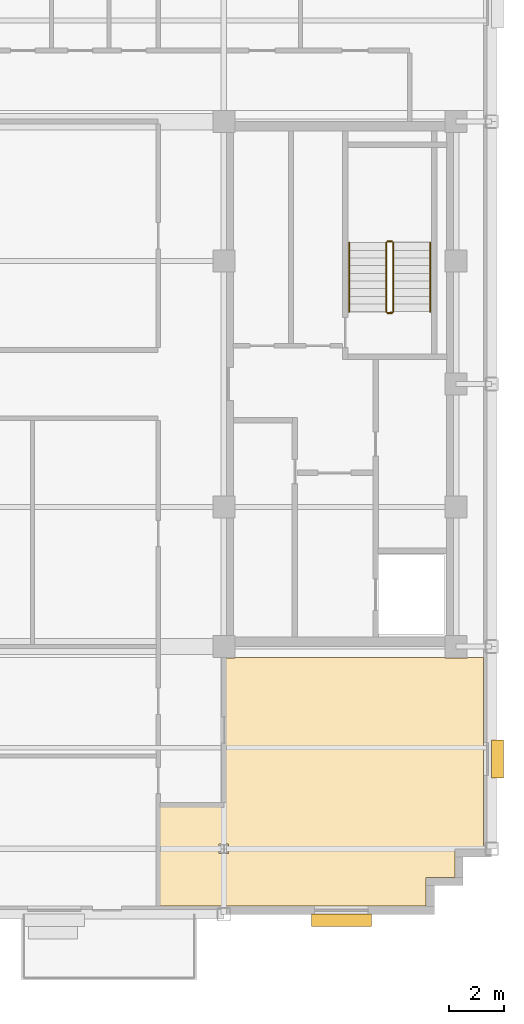
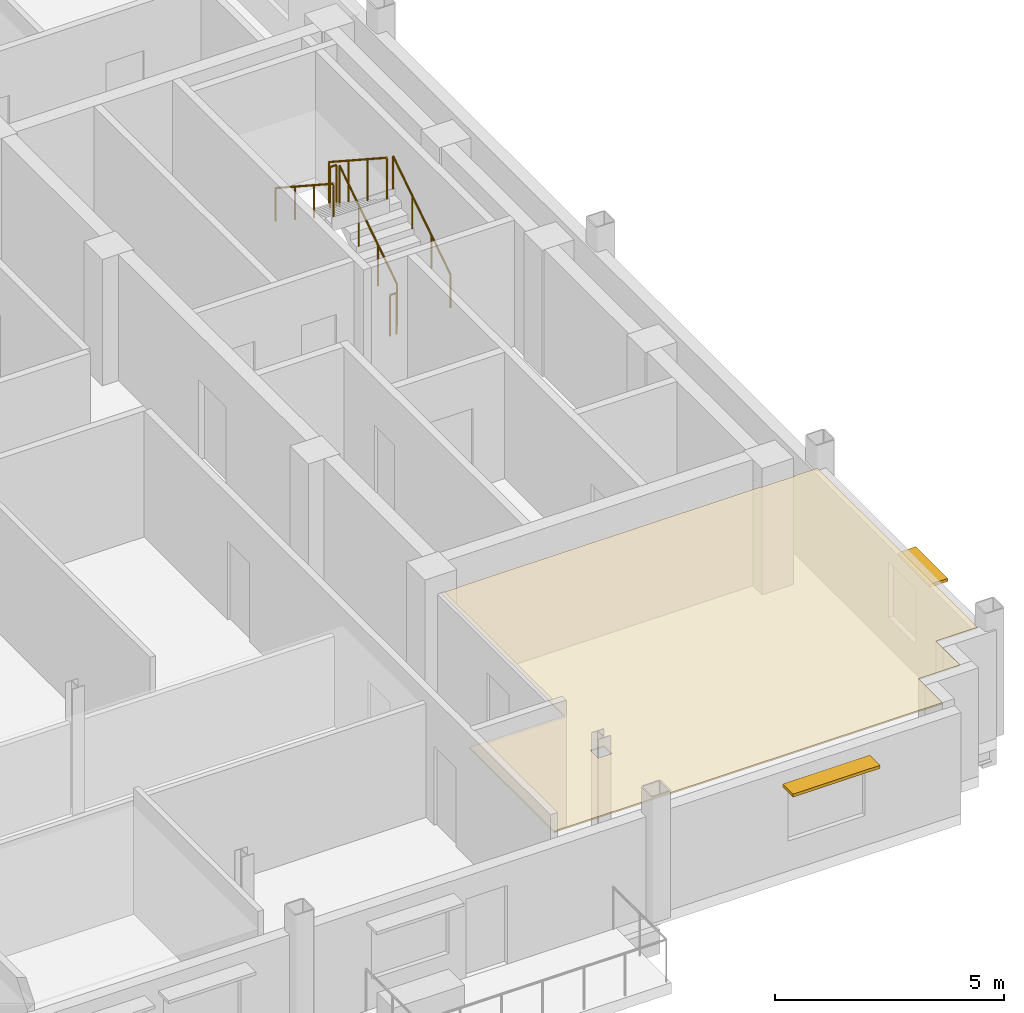
# One storey, part 12 of 13: 6 railings, 2 shading devices, 1 covering.
"""IFC4 building model written with IfcOpenShell, lengths in metres."""

from ifc_helpers import new_model, si_unit, direction, frame, origin, origin_2d, place, context, subcontext, project, spatial, polyline, rectangle, circle, outline, extrude, source, transform, mapped, material, layer, layer_set, type_object, type_shapes, element, save


model = new_model("IFC4")

# Units and contexts
model_context = context("Model", 3, precision=1e-05, world=origin(), true_north=direction((0.0, 1.0)))
body_context = subcontext(model_context, "Body", "Model", "MODEL_VIEW")
ifc_project = project(units=[si_unit("LENGTHUNIT", "METRE"), si_unit("AREAUNIT", "SQUARE_METRE"), si_unit("VOLUMEUNIT", "CUBIC_METRE"), si_unit("PLANEANGLEUNIT", "RADIAN"), si_unit("MASSUNIT", "GRAM", prefix="KILO")], contexts=[model_context])

# Site, building, storey
site_placement = place(None, origin())
site = spatial("IfcSite", under=ifc_project, at=site_placement, CompositionType="ELEMENT")
building_placement = place(site_placement, origin())
building = spatial("IfcBuilding", under=site, at=building_placement, Name="Nuvemarco Arch Tower", CompositionType="ELEMENT")
storey_placement = place(building_placement, frame((0.0, 0.0, 276.199951171875)))
storey = spatial("IfcBuildingStorey", under=building, at=storey_placement, Name="L73", CompositionType="ELEMENT", Elevation=276.199951171875)

# Covering
ifc_material_1 = material(Name="Mineral acoustic ceiling tile")
ifc_layer = layer(ifc_material_1, 0.0400390625, Name="COV-ACOUSTIC-CLG")
ifc_layer_set = layer_set([ifc_layer], Name="Mineral acoustic ceiling tile")
covering_type = type_object("IfcCoveringType", Name="COV-ACOUSTIC-CLG", PredefinedType="CEILING", material=ifc_layer_set)
covering_placement = place(storey_placement, frame((0.0, 0.0, 2.85009765625)))
element("IfcCovering", 1, at=covering_placement, inside=storey, type_object=covering_type, Name="L73 suspended acoustic ceiling 1", PredefinedType="CEILING", context=body_context, shape_type="SweptSolid", body=[
    extrude(outline(polyline([(16.39990234375, -19.10009765625), (6.60009765625, -19.10009765625), (6.60009765625, -15.39990234375), (9.0, -15.39990234375), (9.0, -10.014892578125), (9.4150390625, -10.014892578125), (9.4150390625, -10.0), (17.0849609375, -10.0), (17.0849609375, -10.014892578125), (17.9150390625, -10.014892578125), (17.9150390625, -10.0), (18.5, -10.0), (18.5, -17.0), (17.449951171875, -17.0), (17.449951171875, -18.050048828125), (16.39990234375, -18.050048828125), (16.39990234375, -19.10009765625)]), holes=[polyline([(9.169921875, -17.169921875), (9.169921875, -16.830078125), (8.830078125, -16.830078125), (8.830078125, -17.169921875), (9.169921875, -17.169921875)])]), origin(), (0.0, 0.0, 1.0), 0.0400390625),
])

# Railings
ifc_material_2 = material(Name="Brushed stainless steel handrail", Category="steel")
railing_type_1 = type_object("IfcRailingType", Name="RL-HANDRAIL-900", PredefinedType="HANDRAIL", material=ifc_material_2)
railing_1_placement = place(storey_placement, frame((16.550048828125, 2.64990234375, 0.1826171875)))
element("IfcRailing", 2, at=railing_1_placement, inside=storey, type_object=railing_type_1, Name="L73 ST-2 stair handrail 1", PredefinedType="HANDRAIL", context=body_context, shape_type="SweptSolid", body=[
    extrude(circle(Radius=0.02392578125, at=origin_2d()), frame((0.0, 0.0, 0.8759765625), z_axis=(0.0, 0.837786554691, 0.545997883492), x_axis=(-1.0, 0.0, 0.0)), (0.0, 0.0, 1.0), 3.008056640625),
    extrude(circle(Radius=0.02099609375, at=origin_2d()), origin(), (0.0, 0.0, 1.0), 0.851806640625),
    extrude(circle(Radius=0.02099609375, at=origin_2d()), frame((0.0, 0.840087890625, 0.54736328125)), (0.0, 0.0, 1.0), 0.851806640625),
    extrude(circle(Radius=0.02099609375, at=origin_2d()), frame((0.0, 1.679931640625, 1.094970703125)), (0.0, 0.0, 1.0), 0.851806640625),
    extrude(circle(Radius=0.02099609375, at=origin_2d()), frame((0.0, 2.52001953125, 1.642333984375)), (0.0, 0.0, 1.0), 0.851806640625),
])
railing_2_placement = place(storey_placement, frame((13.590087890625, 5.169921875, 2.007568359375)))
element("IfcRailing", 3, at=railing_2_placement, inside=storey, type_object=railing_type_1, Name="L73 ST-2 stair handrail 2", PredefinedType="HANDRAIL", context=body_context, shape_type="SweptSolid", body=[
    extrude(circle(Radius=0.02392578125, at=origin_2d()), frame((0.0, 0.0, 0.8759765625), z_axis=(0.0, -0.837749427056, 0.546054848405), x_axis=(1.0, 0.0, 0.0)), (0.0, 0.0, 1.0), 3.008056640625),
    extrude(circle(Radius=0.02099609375, at=origin_2d()), origin(), (0.0, 0.0, 1.0), 0.851806640625),
    extrude(circle(Radius=0.02099609375, at=origin_2d()), frame((0.0, -0.840087890625, 0.547607421875)), (0.0, 0.0, 1.0), 0.851806640625),
    extrude(circle(Radius=0.02099609375, at=origin_2d()), frame((0.0, -1.679931640625, 1.094970703125)), (0.0, 0.0, 1.0), 0.851806640625),
    extrude(circle(Radius=0.02099609375, at=origin_2d()), frame((0.0, -2.52001953125, 1.642578125)), (0.0, 0.0, 1.0), 0.851806640625),
])
ifc_material_3 = material(Name="Painted balustrade steel S355", Category="steel")
railing_type_2 = type_object("IfcRailingType", Name="RL-STAIR-GUARD", PredefinedType="GUARDRAIL", material=ifc_material_3)
railing_3_placement = place(storey_placement, frame((15.199951171875, 2.64990234375, 0.1826171875)))
element("IfcRailing", 4, at=railing_3_placement, inside=storey, type_object=railing_type_2, Name="L73 ST-2 stair guard 1", PredefinedType="GUARDRAIL", context=body_context, shape_type="SweptSolid", body=[
    extrude(circle(Radius=0.02392578125, at=origin_2d()), frame((0.0, 0.0, 1.09619140625), z_axis=(0.0, 0.837786554691, 0.545997883492), x_axis=(-1.0, 0.0, 0.0)), (0.0, 0.0, 1.0), 3.008056640625),
    extrude(circle(Radius=0.02099609375, at=origin_2d()), origin(), (0.0, 0.0, 1.0), 1.072021484375),
    extrude(circle(Radius=0.02099609375, at=origin_2d()), frame((0.0, 0.840087890625, 0.54736328125)), (0.0, 0.0, 1.0), 1.072021484375),
    extrude(circle(Radius=0.02099609375, at=origin_2d()), frame((0.0, 1.679931640625, 1.094970703125)), (0.0, 0.0, 1.0), 1.072021484375),
    extrude(circle(Radius=0.02099609375, at=origin_2d()), frame((0.0, 2.52001953125, 1.642333984375)), (0.0, 0.0, 1.0), 1.072021484375),
])
railing_4_placement = place(storey_placement, frame((15.14990234375, 5.219970703125, 1.824951171875)))
element("IfcRailing", 5, at=railing_4_placement, inside=storey, type_object=railing_type_2, Name="L73 ST-2 stair guard 2", PredefinedType="GUARDRAIL", context=body_context, shape_type="SweptSolid", body=[
    extrude(circle(Radius=0.02392578125, at=origin_2d()), frame((0.0, 0.0, 1.09619140625), z_axis=(-1.0, 0.0, 0.0), x_axis=(0.0, -1.0, 0.0)), (0.0, 0.0, 1.0), 0.159912109375),
    extrude(circle(Radius=0.02099609375, at=origin_2d()), origin(), (0.0, 0.0, 1.0), 1.072021484375),
    extrude(circle(Radius=0.02099609375, at=origin_2d()), frame((-0.159912109375, 0.0, 0.0)), (0.0, 0.0, 1.0), 1.072021484375),
])
railing_5_placement = place(storey_placement, frame((14.93994140625, 5.169921875, 2.007568359375)))
element("IfcRailing", 6, at=railing_5_placement, inside=storey, type_object=railing_type_2, Name="L73 ST-2 stair guard 3", PredefinedType="GUARDRAIL", context=body_context, shape_type="SweptSolid", body=[
    extrude(circle(Radius=0.02392578125, at=origin_2d()), frame((0.0, 0.0, 1.09619140625), z_axis=(0.0, -0.837749427056, 0.546054848405), x_axis=(1.0, 0.0, 0.0)), (0.0, 0.0, 1.0), 3.008056640625),
    extrude(circle(Radius=0.02099609375, at=origin_2d()), origin(), (0.0, 0.0, 1.0), 1.072021484375),
    extrude(circle(Radius=0.02099609375, at=origin_2d()), frame((0.0, -0.840087890625, 0.547607421875)), (0.0, 0.0, 1.0), 1.072021484375),
    extrude(circle(Radius=0.02099609375, at=origin_2d()), frame((0.0, -1.679931640625, 1.094970703125)), (0.0, 0.0, 1.0), 1.072021484375),
    extrude(circle(Radius=0.02099609375, at=origin_2d()), frame((0.0, -2.52001953125, 1.642578125)), (0.0, 0.0, 1.0), 1.072021484375),
])
railing_6_placement = place(storey_placement, frame((15.14990234375, 2.60009765625, 0.0)))
element("IfcRailing", 7, at=railing_6_placement, inside=storey, type_object=railing_type_2, Name="L73 ST-2 stair guard 4", PredefinedType="GUARDRAIL", context=body_context, shape_type="SweptSolid", body=[
    extrude(circle(Radius=0.02392578125, at=origin_2d()), frame((0.0, 0.0, 1.09619140625), z_axis=(-1.0, 0.0, 0.0), x_axis=(0.0, -1.0, 0.0)), (0.0, 0.0, 1.0), 0.159912109375),
    extrude(circle(Radius=0.02099609375, at=origin_2d()), origin(), (0.0, 0.0, 1.0), 1.072021484375),
    extrude(circle(Radius=0.02099609375, at=origin_2d()), frame((-0.159912109375, 0.0, 0.0)), (0.0, 0.0, 1.0), 1.072021484375),
])

# Shading devices
ifc_material_4 = material(Name="Anodised aluminium 6063-T6", Category="aluminium")
shading_device_type_1 = type_object("IfcShadingDeviceType", Name="SHD-BRISE-SOLEIL", PredefinedType="USERDEFINED", material=ifc_material_4)
shared_shape_1 = source(origin(), body_context, "Body", "SweptSolid", [
    extrude(rectangle(XDim=2.199951171875, YDim=0.449951171875, at=origin_2d()), origin(), (0.0, 0.0, 1.0), 0.080078125),
])
type_shapes(shading_device_type_1, [shared_shape_1])
shading_device_1_placement = place(storey_placement, frame((13.300048828125, -19.614990234375, 2.284912109375), z_axis=(0.0, 0.0, 1.0), x_axis=(1.0, 0.0, 0.0)))
element("IfcShadingDevice", 8, at=shading_device_1_placement, inside=storey, type_object=shading_device_type_1, Name="L73 horizontal brise-soleil sunshade", ObjectType="SUNSHADE", PredefinedType="USERDEFINED", context=body_context, shape_type="MappedRepresentation", body=[
    mapped(shared_shape_1, transform((0.0, 0.0, 0.0), scale=1.0)),
])
shading_device_type_2 = type_object("IfcShadingDeviceType", Name="SHD-BRISE-NARROW", PredefinedType="USERDEFINED", material=ifc_material_4)
shared_shape_2 = source(origin(), body_context, "Body", "SweptSolid", [
    extrude(rectangle(XDim=1.39990234375, YDim=0.449951171875, at=origin_2d()), origin(), (0.0, 0.0, 1.0), 0.080078125),
])
type_shapes(shading_device_type_2, [shared_shape_2])
shading_device_2_placement = place(storey_placement, frame((19.014892578125, -13.7177734375, 2.284912109375), z_axis=(0.0, 0.0, 1.0), x_axis=(0.0, 1.0, 0.0)))
element("IfcShadingDevice", 9, at=shading_device_2_placement, inside=storey, type_object=shading_device_type_2, Name="L73 horizontal brise-soleil sunshade", ObjectType="SUNSHADE", PredefinedType="USERDEFINED", context=body_context, shape_type="MappedRepresentation", body=[
    mapped(shared_shape_2, transform((0.0, 0.0, 0.0), scale=1.0)),
])

save(model, "model.ifc")
